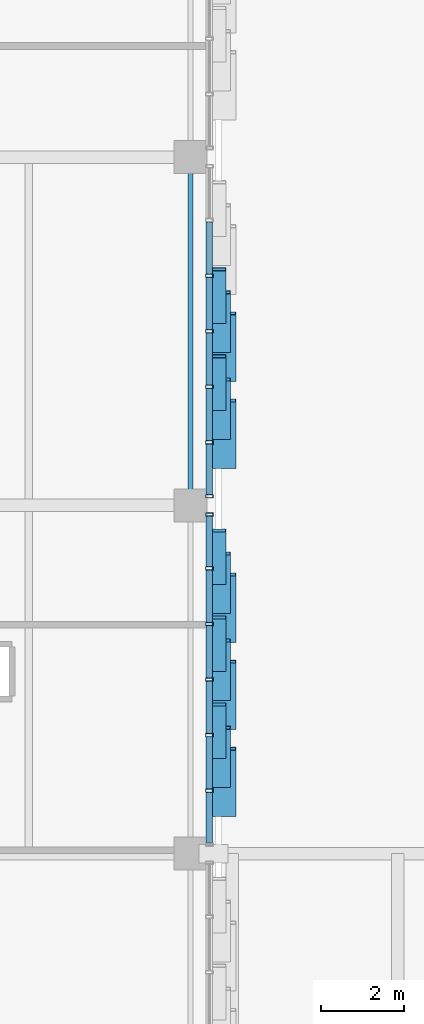
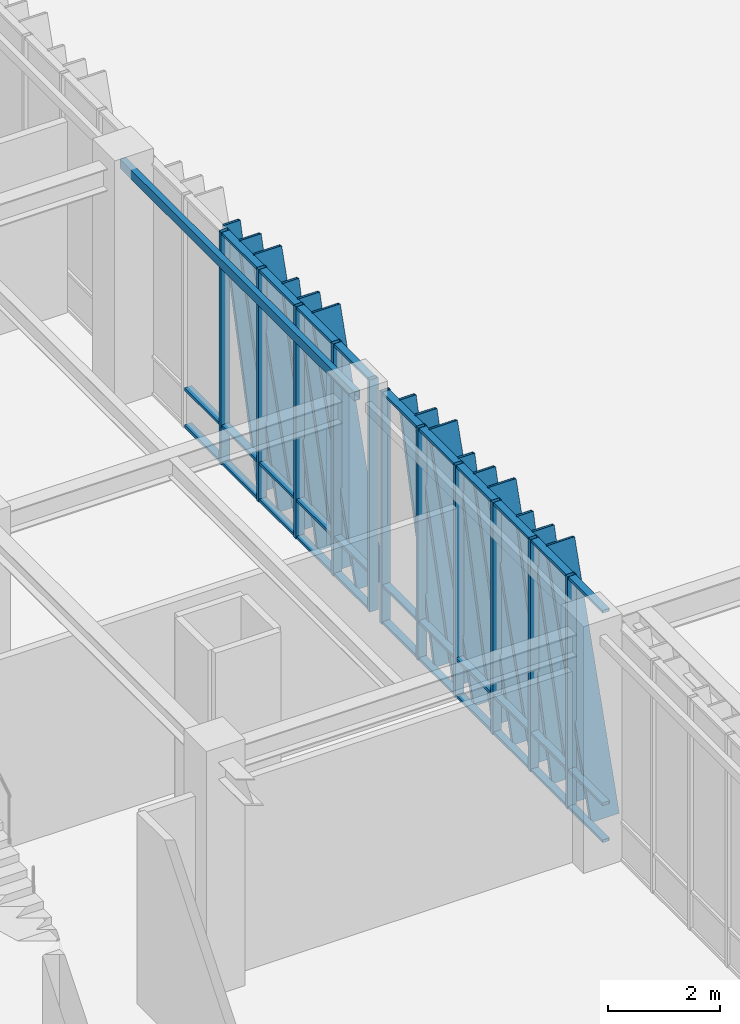
# One storey, part 55 of 122: 58 members, 1 beam, 2 elements without a shape of their own.
"""IFC4 building model written with IfcOpenShell, lengths in metres."""

from ifc_helpers import new_model, si_unit, direction, frame, origin, origin_2d, place, context, subcontext, project, spatial, hollow_rectangle, extrude, material, layer, layer_set, material_profile, profile_set, type_object, element, aggregate, save


model = new_model("IFC4")

# Units and contexts
model_context = context("Model", 3, precision=1e-05, world=origin(), true_north=direction((0.0, 1.0)))
body_context = subcontext(model_context, "Body", "Model", "MODEL_VIEW")
ifc_project = project(units=[si_unit("LENGTHUNIT", "METRE"), si_unit("AREAUNIT", "SQUARE_METRE"), si_unit("VOLUMEUNIT", "CUBIC_METRE"), si_unit("PLANEANGLEUNIT", "RADIAN"), si_unit("MASSUNIT", "GRAM", prefix="KILO")], contexts=[model_context])

# Site, building, storey
site_placement = place(None, origin())
site = spatial("IfcSite", under=ifc_project, at=site_placement, CompositionType="ELEMENT")
building_placement = place(site_placement, origin())
building = spatial("IfcBuilding", under=site, at=building_placement, Name="Zayran Congress Hotel", CompositionType="ELEMENT")
storey_placement = place(building_placement, origin())
storey = spatial("IfcBuildingStorey", under=building, at=storey_placement, Name="L00", CompositionType="ELEMENT", Elevation=0.0)

# Beam
ifc_material_1 = material(Name="Steel S355", Category="steel")
ifc_material_profile_1 = material_profile(ifc_material_1, hollow_rectangle(XDim=0.1201171875, YDim=0.199951171875, WallThickness=0.008056640625, at=origin_2d()), Name="RHS 200x120x8")
ifc_profile_set_1 = profile_set([ifc_material_profile_1], Name="Steel S355")
beam_type = type_object("IfcBeamType", Name="TP-SP-02", PredefinedType="SPANDREL", material=ifc_profile_set_1)
beam_placement = place(storey_placement, frame((91.800048828125, 92.800048828125, 4.97998046875), z_axis=(0.0, 1.0, 0.0), x_axis=(-1.0, 0.0, 0.0)))
element("IfcBeam", 1, at=beam_placement, inside=storey, type_object=beam_type, Name="BM-V1-L00-0488", PredefinedType="SPANDREL", context=body_context, shape_type="SweptSolid", body=[
    extrude(hollow_rectangle(XDim=0.1201171875, YDim=0.199951171875, WallThickness=0.008056640625, at=origin_2d()), origin(), (0.0, 0.0, 1.0), 8.39990234375),
])

# Curtain wall, members
ifc_material_2 = material(Name="Anodised aluminium and low-E insulated glass", Category="aluminium")
ifc_layer_1 = layer(ifc_material_2, 0.179931640625)
ifc_layer_set_1 = layer_set([ifc_layer_1], Name="Anodised aluminium and low-E insulated glass")
curtain_wall_type_1 = type_object("IfcCurtainWallType", Name="CW-V1E-L00-CW-41-8040-5080", PredefinedType="USERDEFINED", material=ifc_layer_set_1)
curtain_wall_1_placement = place(storey_placement, origin())
curtain_wall_1 = element("IfcCurtainWall", 2, at=curtain_wall_1_placement, inside=storey, type_object=curtain_wall_type_1, Name="CW-V1E-L00-2", ObjectType="CURTAIN WALL", PredefinedType="USERDEFINED")
ifc_material_3 = material(Name="Anodised aluminium framing", Category="aluminium")
ifc_material_profile_2 = material_profile(ifc_material_3, hollow_rectangle(XDim=0.080078125, YDim=0.179931640625, WallThickness=0.0048828125, at=origin_2d()), Name="RHS 180x80x5")
ifc_profile_set_2 = profile_set([ifc_material_profile_2], Name="Anodised aluminium framing")
member_type_1 = type_object("IfcMemberType", Name="TP-CWM-01", PredefinedType="MULLION", material=ifc_profile_set_2)
member_1_placement = place(storey_placement, frame((92.25, 85.919921875, 0.0), z_axis=(0.0, 0.0, 1.0), x_axis=(0.0, 1.0, 0.0)))
member_1 = element("IfcMember", 3, at=member_1_placement, type_object=member_type_1, Name="CW-V1E-L00-2-M01", PredefinedType="MULLION", context=body_context, shape_type="SweptSolid", body=[
    extrude(hollow_rectangle(XDim=0.080078125, YDim=0.179931640625, WallThickness=0.0048828125, at=origin_2d()), origin(), (0.0, 0.0, 1.0), 5.080078125),
])
member_2_placement = place(storey_placement, frame((92.25, 87.260009765625, 0.0), z_axis=(0.0, 0.0, 1.0), x_axis=(0.0, 1.0, 0.0)))
member_2 = element("IfcMember", 4, at=member_2_placement, type_object=member_type_1, Name="CW-V1E-L00-2-M02", PredefinedType="MULLION", context=body_context, shape_type="SweptSolid", body=[
    extrude(hollow_rectangle(XDim=0.080078125, YDim=0.179931640625, WallThickness=0.0048828125, at=origin_2d()), origin(), (0.0, 0.0, 1.0), 5.080078125),
])
member_3_placement = place(storey_placement, frame((92.25, 88.60009765625, 0.0), z_axis=(0.0, 0.0, 1.0), x_axis=(0.0, 1.0, 0.0)))
member_3 = element("IfcMember", 5, at=member_3_placement, type_object=member_type_1, Name="CW-V1E-L00-2-M03", PredefinedType="MULLION", context=body_context, shape_type="SweptSolid", body=[
    extrude(hollow_rectangle(XDim=0.080078125, YDim=0.179931640625, WallThickness=0.0048828125, at=origin_2d()), origin(), (0.0, 0.0, 1.0), 5.080078125),
])
member_4_placement = place(storey_placement, frame((92.25, 89.93994140625, 0.0), z_axis=(0.0, 0.0, 1.0), x_axis=(0.0, 1.0, 0.0)))
member_4 = element("IfcMember", 6, at=member_4_placement, type_object=member_type_1, Name="CW-V1E-L00-2-M04", PredefinedType="MULLION", context=body_context, shape_type="SweptSolid", body=[
    extrude(hollow_rectangle(XDim=0.080078125, YDim=0.179931640625, WallThickness=0.0048828125, at=origin_2d()), origin(), (0.0, 0.0, 1.0), 5.080078125),
])
member_5_placement = place(storey_placement, frame((92.25, 91.280029296875, 0.0), z_axis=(0.0, 0.0, 1.0), x_axis=(0.0, 1.0, 0.0)))
member_5 = element("IfcMember", 7, at=member_5_placement, type_object=member_type_1, Name="CW-V1E-L00-2-M05", PredefinedType="MULLION", context=body_context, shape_type="SweptSolid", body=[
    extrude(hollow_rectangle(XDim=0.080078125, YDim=0.179931640625, WallThickness=0.0048828125, at=origin_2d()), origin(), (0.0, 0.0, 1.0), 5.080078125),
])
member_6_placement = place(storey_placement, frame((92.25, 92.580078125, 0.0), z_axis=(0.0, 0.0, 1.0), x_axis=(0.0, 1.0, 0.0)))
member_6 = element("IfcMember", 8, at=member_6_placement, type_object=member_type_1, Name="CW-V1E-L00-2-M06", PredefinedType="MULLION", context=body_context, shape_type="SweptSolid", body=[
    extrude(hollow_rectangle(XDim=0.080078125, YDim=0.179931640625, WallThickness=0.0048828125, at=origin_2d()), origin(), (0.0, 0.0, 1.0), 5.080078125),
])

ifc_layer_2 = layer(ifc_material_2, 0.179931640625)
ifc_layer_set_2 = layer_set([ifc_layer_2], Name="Anodised aluminium and low-E insulated glass")
curtain_wall_type_2 = type_object("IfcCurtainWallType", Name="CW-V1E-L00-CW-42-8040-5080", PredefinedType="USERDEFINED", material=ifc_layer_set_2)
curtain_wall_2_placement = place(storey_placement, origin())
curtain_wall_2 = element("IfcCurtainWall", 9, at=curtain_wall_2_placement, inside=storey, type_object=curtain_wall_type_2, Name="CW-V1E-L00-3", ObjectType="CURTAIN WALL", PredefinedType="USERDEFINED")
member_7_placement = place(storey_placement, frame((92.25, 93.02001953125, 0.0), z_axis=(0.0, 0.0, 1.0), x_axis=(0.0, 1.0, 0.0)))
member_7 = element("IfcMember", 10, at=member_7_placement, type_object=member_type_1, Name="CW-V1E-L00-3-M00", PredefinedType="MULLION", context=body_context, shape_type="SweptSolid", body=[
    extrude(hollow_rectangle(XDim=0.080078125, YDim=0.179931640625, WallThickness=0.0048828125, at=origin_2d()), origin(), (0.0, 0.0, 1.0), 5.080078125),
])
member_8_placement = place(storey_placement, frame((92.25, 94.320068359375, 0.0), z_axis=(0.0, 0.0, 1.0), x_axis=(0.0, 1.0, 0.0)))
member_8 = element("IfcMember", 11, at=member_8_placement, type_object=member_type_1, Name="CW-V1E-L00-3-M01", PredefinedType="MULLION", context=body_context, shape_type="SweptSolid", body=[
    extrude(hollow_rectangle(XDim=0.080078125, YDim=0.179931640625, WallThickness=0.0048828125, at=origin_2d()), origin(), (0.0, 0.0, 1.0), 5.080078125),
])
member_9_placement = place(storey_placement, frame((92.25, 95.659912109375, 0.0), z_axis=(0.0, 0.0, 1.0), x_axis=(0.0, 1.0, 0.0)))
member_9 = element("IfcMember", 12, at=member_9_placement, type_object=member_type_1, Name="CW-V1E-L00-3-M02", PredefinedType="MULLION", context=body_context, shape_type="SweptSolid", body=[
    extrude(hollow_rectangle(XDim=0.080078125, YDim=0.179931640625, WallThickness=0.0048828125, at=origin_2d()), origin(), (0.0, 0.0, 1.0), 5.080078125),
])
member_10_placement = place(storey_placement, frame((92.25, 97.0, 0.0), z_axis=(0.0, 0.0, 1.0), x_axis=(0.0, 1.0, 0.0)))
member_10 = element("IfcMember", 13, at=member_10_placement, type_object=member_type_1, Name="CW-V1E-L00-3-M03", PredefinedType="MULLION", context=body_context, shape_type="SweptSolid", body=[
    extrude(hollow_rectangle(XDim=0.080078125, YDim=0.179931640625, WallThickness=0.0048828125, at=origin_2d()), origin(), (0.0, 0.0, 1.0), 5.080078125),
])
member_11_placement = place(storey_placement, frame((92.25, 98.340087890625, 0.0), z_axis=(0.0, 0.0, 1.0), x_axis=(0.0, 1.0, 0.0)))
member_11 = element("IfcMember", 14, at=member_11_placement, type_object=member_type_1, Name="CW-V1E-L00-3-M04", PredefinedType="MULLION", context=body_context, shape_type="SweptSolid", body=[
    extrude(hollow_rectangle(XDim=0.080078125, YDim=0.179931640625, WallThickness=0.0048828125, at=origin_2d()), origin(), (0.0, 0.0, 1.0), 5.080078125),
])

# Member
ifc_material_profile_3 = material_profile(ifc_material_3, hollow_rectangle(XDim=0.06005859375, YDim=0.14990234375, WallThickness=0.00390625, at=origin_2d()), Name="RHS 150x60x4")
ifc_profile_set_3 = profile_set([ifc_material_profile_3], Name="Anodised aluminium framing")
member_type_2 = type_object("IfcMemberType", Name="TP-CWT-01", PredefinedType="USERDEFINED", material=ifc_profile_set_3)
member_12_placement = place(storey_placement, frame((92.25, 84.659912109375, 0.030029296875), z_axis=(0.0, 1.0, 0.0), x_axis=(0.0, 0.0, 1.0)))
member_12 = element("IfcMember", 15, at=member_12_placement, type_object=member_type_2, Name="CW-V1E-L00-2-T00-0", ObjectType="TRANSOM", PredefinedType="USERDEFINED", context=body_context, shape_type="SweptSolid", body=[
    extrude(hollow_rectangle(XDim=0.06005859375, YDim=0.14990234375, WallThickness=0.00390625, at=origin_2d()), origin(), (0.0, 0.0, 1.0), 1.219970703125),
])

member_13_placement = place(storey_placement, frame((92.25, 84.659912109375, 0.840087890625), z_axis=(0.0, 1.0, 0.0), x_axis=(0.0, 0.0, 1.0)))
member_13 = element("IfcMember", 16, at=member_13_placement, type_object=member_type_2, Name="CW-V1E-L00-2-T00-1", ObjectType="TRANSOM", PredefinedType="USERDEFINED", context=body_context, shape_type="SweptSolid", body=[
    extrude(hollow_rectangle(XDim=0.06005859375, YDim=0.14990234375, WallThickness=0.00390625, at=origin_2d()), origin(), (0.0, 0.0, 1.0), 1.219970703125),
])

member_14_placement = place(storey_placement, frame((92.25, 84.659912109375, 5.050048828125), z_axis=(0.0, 1.0, 0.0), x_axis=(0.0, 0.0, 1.0)))
member_14 = element("IfcMember", 17, at=member_14_placement, type_object=member_type_2, Name="CW-V1E-L00-2-T00-2", ObjectType="TRANSOM", PredefinedType="USERDEFINED", context=body_context, shape_type="SweptSolid", body=[
    extrude(hollow_rectangle(XDim=0.06005859375, YDim=0.14990234375, WallThickness=0.00390625, at=origin_2d()), origin(), (0.0, 0.0, 1.0), 1.219970703125),
])

member_15_placement = place(storey_placement, frame((92.25, 85.9599609375, 0.030029296875), z_axis=(0.0, 1.0, 0.0), x_axis=(0.0, 0.0, 1.0)))
member_15 = element("IfcMember", 18, at=member_15_placement, type_object=member_type_2, Name="CW-V1E-L00-2-T01-0", ObjectType="TRANSOM", PredefinedType="USERDEFINED", context=body_context, shape_type="SweptSolid", body=[
    extrude(hollow_rectangle(XDim=0.06005859375, YDim=0.14990234375, WallThickness=0.00390625, at=origin_2d()), origin(), (0.0, 0.0, 1.0), 1.260009765625),
])

member_16_placement = place(storey_placement, frame((92.25, 85.9599609375, 0.840087890625), z_axis=(0.0, 1.0, 0.0), x_axis=(0.0, 0.0, 1.0)))
member_16 = element("IfcMember", 19, at=member_16_placement, type_object=member_type_2, Name="CW-V1E-L00-2-T01-1", ObjectType="TRANSOM", PredefinedType="USERDEFINED", context=body_context, shape_type="SweptSolid", body=[
    extrude(hollow_rectangle(XDim=0.06005859375, YDim=0.14990234375, WallThickness=0.00390625, at=origin_2d()), origin(), (0.0, 0.0, 1.0), 1.260009765625),
])

member_17_placement = place(storey_placement, frame((92.25, 85.9599609375, 5.050048828125), z_axis=(0.0, 1.0, 0.0), x_axis=(0.0, 0.0, 1.0)))
member_17 = element("IfcMember", 20, at=member_17_placement, type_object=member_type_2, Name="CW-V1E-L00-2-T01-2", ObjectType="TRANSOM", PredefinedType="USERDEFINED", context=body_context, shape_type="SweptSolid", body=[
    extrude(hollow_rectangle(XDim=0.06005859375, YDim=0.14990234375, WallThickness=0.00390625, at=origin_2d()), origin(), (0.0, 0.0, 1.0), 1.260009765625),
])

member_18_placement = place(storey_placement, frame((92.25, 87.300048828125, 0.030029296875), z_axis=(0.0, 1.0, 0.0), x_axis=(0.0, 0.0, 1.0)))
member_18 = element("IfcMember", 21, at=member_18_placement, type_object=member_type_2, Name="CW-V1E-L00-2-T02-0", ObjectType="TRANSOM", PredefinedType="USERDEFINED", context=body_context, shape_type="SweptSolid", body=[
    extrude(hollow_rectangle(XDim=0.06005859375, YDim=0.14990234375, WallThickness=0.00390625, at=origin_2d()), origin(), (0.0, 0.0, 1.0), 1.260009765625),
])

member_19_placement = place(storey_placement, frame((92.25, 87.300048828125, 0.840087890625), z_axis=(0.0, 1.0, 0.0), x_axis=(0.0, 0.0, 1.0)))
member_19 = element("IfcMember", 22, at=member_19_placement, type_object=member_type_2, Name="CW-V1E-L00-2-T02-1", ObjectType="TRANSOM", PredefinedType="USERDEFINED", context=body_context, shape_type="SweptSolid", body=[
    extrude(hollow_rectangle(XDim=0.06005859375, YDim=0.14990234375, WallThickness=0.00390625, at=origin_2d()), origin(), (0.0, 0.0, 1.0), 1.260009765625),
])

member_20_placement = place(storey_placement, frame((92.25, 87.300048828125, 5.050048828125), z_axis=(0.0, 1.0, 0.0), x_axis=(0.0, 0.0, 1.0)))
member_20 = element("IfcMember", 23, at=member_20_placement, type_object=member_type_2, Name="CW-V1E-L00-2-T02-2", ObjectType="TRANSOM", PredefinedType="USERDEFINED", context=body_context, shape_type="SweptSolid", body=[
    extrude(hollow_rectangle(XDim=0.06005859375, YDim=0.14990234375, WallThickness=0.00390625, at=origin_2d()), origin(), (0.0, 0.0, 1.0), 1.260009765625),
])

member_21_placement = place(storey_placement, frame((92.25, 88.639892578125, 0.030029296875), z_axis=(0.0, 1.0, 0.0), x_axis=(0.0, 0.0, 1.0)))
member_21 = element("IfcMember", 24, at=member_21_placement, type_object=member_type_2, Name="CW-V1E-L00-2-T03-0", ObjectType="TRANSOM", PredefinedType="USERDEFINED", context=body_context, shape_type="SweptSolid", body=[
    extrude(hollow_rectangle(XDim=0.06005859375, YDim=0.14990234375, WallThickness=0.00390625, at=origin_2d()), origin(), (0.0, 0.0, 1.0), 1.260009765625),
])

member_22_placement = place(storey_placement, frame((92.25, 88.639892578125, 0.840087890625), z_axis=(0.0, 1.0, 0.0), x_axis=(0.0, 0.0, 1.0)))
member_22 = element("IfcMember", 25, at=member_22_placement, type_object=member_type_2, Name="CW-V1E-L00-2-T03-1", ObjectType="TRANSOM", PredefinedType="USERDEFINED", context=body_context, shape_type="SweptSolid", body=[
    extrude(hollow_rectangle(XDim=0.06005859375, YDim=0.14990234375, WallThickness=0.00390625, at=origin_2d()), origin(), (0.0, 0.0, 1.0), 1.260009765625),
])

member_23_placement = place(storey_placement, frame((92.25, 88.639892578125, 5.050048828125), z_axis=(0.0, 1.0, 0.0), x_axis=(0.0, 0.0, 1.0)))
member_23 = element("IfcMember", 26, at=member_23_placement, type_object=member_type_2, Name="CW-V1E-L00-2-T03-2", ObjectType="TRANSOM", PredefinedType="USERDEFINED", context=body_context, shape_type="SweptSolid", body=[
    extrude(hollow_rectangle(XDim=0.06005859375, YDim=0.14990234375, WallThickness=0.00390625, at=origin_2d()), origin(), (0.0, 0.0, 1.0), 1.260009765625),
])

member_24_placement = place(storey_placement, frame((92.25, 89.97998046875, 0.030029296875), z_axis=(0.0, 1.0, 0.0), x_axis=(0.0, 0.0, 1.0)))
member_24 = element("IfcMember", 27, at=member_24_placement, type_object=member_type_2, Name="CW-V1E-L00-2-T04-0", ObjectType="TRANSOM", PredefinedType="USERDEFINED", context=body_context, shape_type="SweptSolid", body=[
    extrude(hollow_rectangle(XDim=0.06005859375, YDim=0.14990234375, WallThickness=0.00390625, at=origin_2d()), origin(), (0.0, 0.0, 1.0), 1.260009765625),
])

member_25_placement = place(storey_placement, frame((92.25, 89.97998046875, 0.840087890625), z_axis=(0.0, 1.0, 0.0), x_axis=(0.0, 0.0, 1.0)))
member_25 = element("IfcMember", 28, at=member_25_placement, type_object=member_type_2, Name="CW-V1E-L00-2-T04-1", ObjectType="TRANSOM", PredefinedType="USERDEFINED", context=body_context, shape_type="SweptSolid", body=[
    extrude(hollow_rectangle(XDim=0.06005859375, YDim=0.14990234375, WallThickness=0.00390625, at=origin_2d()), origin(), (0.0, 0.0, 1.0), 1.260009765625),
])

member_26_placement = place(storey_placement, frame((92.25, 89.97998046875, 5.050048828125), z_axis=(0.0, 1.0, 0.0), x_axis=(0.0, 0.0, 1.0)))
member_26 = element("IfcMember", 29, at=member_26_placement, type_object=member_type_2, Name="CW-V1E-L00-2-T04-2", ObjectType="TRANSOM", PredefinedType="USERDEFINED", context=body_context, shape_type="SweptSolid", body=[
    extrude(hollow_rectangle(XDim=0.06005859375, YDim=0.14990234375, WallThickness=0.00390625, at=origin_2d()), origin(), (0.0, 0.0, 1.0), 1.260009765625),
])

member_27_placement = place(storey_placement, frame((92.25, 91.320068359375, 0.030029296875), z_axis=(0.0, 1.0, 0.0), x_axis=(0.0, 0.0, 1.0)))
member_27 = element("IfcMember", 30, at=member_27_placement, type_object=member_type_2, Name="CW-V1E-L00-2-T05-0", ObjectType="TRANSOM", PredefinedType="USERDEFINED", context=body_context, shape_type="SweptSolid", body=[
    extrude(hollow_rectangle(XDim=0.06005859375, YDim=0.14990234375, WallThickness=0.00390625, at=origin_2d()), origin(), (0.0, 0.0, 1.0), 1.219970703125),
])

member_28_placement = place(storey_placement, frame((92.25, 91.320068359375, 0.840087890625), z_axis=(0.0, 1.0, 0.0), x_axis=(0.0, 0.0, 1.0)))
member_28 = element("IfcMember", 31, at=member_28_placement, type_object=member_type_2, Name="CW-V1E-L00-2-T05-1", ObjectType="TRANSOM", PredefinedType="USERDEFINED", context=body_context, shape_type="SweptSolid", body=[
    extrude(hollow_rectangle(XDim=0.06005859375, YDim=0.14990234375, WallThickness=0.00390625, at=origin_2d()), origin(), (0.0, 0.0, 1.0), 1.219970703125),
])

member_29_placement = place(storey_placement, frame((92.25, 91.320068359375, 5.050048828125), z_axis=(0.0, 1.0, 0.0), x_axis=(0.0, 0.0, 1.0)))
member_29 = element("IfcMember", 32, at=member_29_placement, type_object=member_type_2, Name="CW-V1E-L00-2-T05-2", ObjectType="TRANSOM", PredefinedType="USERDEFINED", context=body_context, shape_type="SweptSolid", body=[
    extrude(hollow_rectangle(XDim=0.06005859375, YDim=0.14990234375, WallThickness=0.00390625, at=origin_2d()), origin(), (0.0, 0.0, 1.0), 1.219970703125),
])

member_30_placement = place(storey_placement, frame((92.25, 93.06005859375, 0.030029296875), z_axis=(0.0, 1.0, 0.0), x_axis=(0.0, 0.0, 1.0)))
member_30 = element("IfcMember", 33, at=member_30_placement, type_object=member_type_2, Name="CW-V1E-L00-3-T00-0", ObjectType="TRANSOM", PredefinedType="USERDEFINED", context=body_context, shape_type="SweptSolid", body=[
    extrude(hollow_rectangle(XDim=0.06005859375, YDim=0.14990234375, WallThickness=0.00390625, at=origin_2d()), origin(), (0.0, 0.0, 1.0), 1.219970703125),
])

member_31_placement = place(storey_placement, frame((92.25, 93.06005859375, 0.840087890625), z_axis=(0.0, 1.0, 0.0), x_axis=(0.0, 0.0, 1.0)))
member_31 = element("IfcMember", 34, at=member_31_placement, type_object=member_type_2, Name="CW-V1E-L00-3-T00-1", ObjectType="TRANSOM", PredefinedType="USERDEFINED", context=body_context, shape_type="SweptSolid", body=[
    extrude(hollow_rectangle(XDim=0.06005859375, YDim=0.14990234375, WallThickness=0.00390625, at=origin_2d()), origin(), (0.0, 0.0, 1.0), 1.219970703125),
])

member_32_placement = place(storey_placement, frame((92.25, 93.06005859375, 5.050048828125), z_axis=(0.0, 1.0, 0.0), x_axis=(0.0, 0.0, 1.0)))
member_32 = element("IfcMember", 35, at=member_32_placement, type_object=member_type_2, Name="CW-V1E-L00-3-T00-2", ObjectType="TRANSOM", PredefinedType="USERDEFINED", context=body_context, shape_type="SweptSolid", body=[
    extrude(hollow_rectangle(XDim=0.06005859375, YDim=0.14990234375, WallThickness=0.00390625, at=origin_2d()), origin(), (0.0, 0.0, 1.0), 1.219970703125),
])

member_33_placement = place(storey_placement, frame((92.25, 94.360107421875, 0.030029296875), z_axis=(0.0, 1.0, 0.0), x_axis=(0.0, 0.0, 1.0)))
member_33 = element("IfcMember", 36, at=member_33_placement, type_object=member_type_2, Name="CW-V1E-L00-3-T01-0", ObjectType="TRANSOM", PredefinedType="USERDEFINED", context=body_context, shape_type="SweptSolid", body=[
    extrude(hollow_rectangle(XDim=0.06005859375, YDim=0.14990234375, WallThickness=0.00390625, at=origin_2d()), origin(), (0.0, 0.0, 1.0), 1.260009765625),
])

member_34_placement = place(storey_placement, frame((92.25, 94.360107421875, 0.840087890625), z_axis=(0.0, 1.0, 0.0), x_axis=(0.0, 0.0, 1.0)))
member_34 = element("IfcMember", 37, at=member_34_placement, type_object=member_type_2, Name="CW-V1E-L00-3-T01-1", ObjectType="TRANSOM", PredefinedType="USERDEFINED", context=body_context, shape_type="SweptSolid", body=[
    extrude(hollow_rectangle(XDim=0.06005859375, YDim=0.14990234375, WallThickness=0.00390625, at=origin_2d()), origin(), (0.0, 0.0, 1.0), 1.260009765625),
])

member_35_placement = place(storey_placement, frame((92.25, 94.360107421875, 5.050048828125), z_axis=(0.0, 1.0, 0.0), x_axis=(0.0, 0.0, 1.0)))
member_35 = element("IfcMember", 38, at=member_35_placement, type_object=member_type_2, Name="CW-V1E-L00-3-T01-2", ObjectType="TRANSOM", PredefinedType="USERDEFINED", context=body_context, shape_type="SweptSolid", body=[
    extrude(hollow_rectangle(XDim=0.06005859375, YDim=0.14990234375, WallThickness=0.00390625, at=origin_2d()), origin(), (0.0, 0.0, 1.0), 1.260009765625),
])

member_36_placement = place(storey_placement, frame((92.25, 95.699951171875, 0.030029296875), z_axis=(0.0, 1.0, 0.0), x_axis=(0.0, 0.0, 1.0)))
member_36 = element("IfcMember", 39, at=member_36_placement, type_object=member_type_2, Name="CW-V1E-L00-3-T02-0", ObjectType="TRANSOM", PredefinedType="USERDEFINED", context=body_context, shape_type="SweptSolid", body=[
    extrude(hollow_rectangle(XDim=0.06005859375, YDim=0.14990234375, WallThickness=0.00390625, at=origin_2d()), origin(), (0.0, 0.0, 1.0), 1.260009765625),
])

member_37_placement = place(storey_placement, frame((92.25, 95.699951171875, 0.840087890625), z_axis=(0.0, 1.0, 0.0), x_axis=(0.0, 0.0, 1.0)))
member_37 = element("IfcMember", 40, at=member_37_placement, type_object=member_type_2, Name="CW-V1E-L00-3-T02-1", ObjectType="TRANSOM", PredefinedType="USERDEFINED", context=body_context, shape_type="SweptSolid", body=[
    extrude(hollow_rectangle(XDim=0.06005859375, YDim=0.14990234375, WallThickness=0.00390625, at=origin_2d()), origin(), (0.0, 0.0, 1.0), 1.260009765625),
])

member_38_placement = place(storey_placement, frame((92.25, 95.699951171875, 5.050048828125), z_axis=(0.0, 1.0, 0.0), x_axis=(0.0, 0.0, 1.0)))
member_38 = element("IfcMember", 41, at=member_38_placement, type_object=member_type_2, Name="CW-V1E-L00-3-T02-2", ObjectType="TRANSOM", PredefinedType="USERDEFINED", context=body_context, shape_type="SweptSolid", body=[
    extrude(hollow_rectangle(XDim=0.06005859375, YDim=0.14990234375, WallThickness=0.00390625, at=origin_2d()), origin(), (0.0, 0.0, 1.0), 1.260009765625),
])

member_39_placement = place(storey_placement, frame((92.25, 97.0400390625, 0.030029296875), z_axis=(0.0, 1.0, 0.0), x_axis=(0.0, 0.0, 1.0)))
member_39 = element("IfcMember", 42, at=member_39_placement, type_object=member_type_2, Name="CW-V1E-L00-3-T03-0", ObjectType="TRANSOM", PredefinedType="USERDEFINED", context=body_context, shape_type="SweptSolid", body=[
    extrude(hollow_rectangle(XDim=0.06005859375, YDim=0.14990234375, WallThickness=0.00390625, at=origin_2d()), origin(), (0.0, 0.0, 1.0), 1.260009765625),
])

member_40_placement = place(storey_placement, frame((92.25, 97.0400390625, 0.840087890625), z_axis=(0.0, 1.0, 0.0), x_axis=(0.0, 0.0, 1.0)))
member_40 = element("IfcMember", 43, at=member_40_placement, type_object=member_type_2, Name="CW-V1E-L00-3-T03-1", ObjectType="TRANSOM", PredefinedType="USERDEFINED", context=body_context, shape_type="SweptSolid", body=[
    extrude(hollow_rectangle(XDim=0.06005859375, YDim=0.14990234375, WallThickness=0.00390625, at=origin_2d()), origin(), (0.0, 0.0, 1.0), 1.260009765625),
])

member_41_placement = place(storey_placement, frame((92.25, 97.0400390625, 5.050048828125), z_axis=(0.0, 1.0, 0.0), x_axis=(0.0, 0.0, 1.0)))
member_41 = element("IfcMember", 44, at=member_41_placement, type_object=member_type_2, Name="CW-V1E-L00-3-T03-2", ObjectType="TRANSOM", PredefinedType="USERDEFINED", context=body_context, shape_type="SweptSolid", body=[
    extrude(hollow_rectangle(XDim=0.06005859375, YDim=0.14990234375, WallThickness=0.00390625, at=origin_2d()), origin(), (0.0, 0.0, 1.0), 1.260009765625),
])

member_42_placement = place(storey_placement, frame((92.25, 98.3798828125, 0.030029296875), z_axis=(0.0, 1.0, 0.0), x_axis=(0.0, 0.0, 1.0)))
member_42 = element("IfcMember", 45, at=member_42_placement, type_object=member_type_2, Name="CW-V1E-L00-3-T04-0", ObjectType="TRANSOM", PredefinedType="USERDEFINED", context=body_context, shape_type="SweptSolid", body=[
    extrude(hollow_rectangle(XDim=0.06005859375, YDim=0.14990234375, WallThickness=0.00390625, at=origin_2d()), origin(), (0.0, 0.0, 1.0), 1.260009765625),
])

member_43_placement = place(storey_placement, frame((92.25, 98.3798828125, 0.840087890625), z_axis=(0.0, 1.0, 0.0), x_axis=(0.0, 0.0, 1.0)))
member_43 = element("IfcMember", 46, at=member_43_placement, type_object=member_type_2, Name="CW-V1E-L00-3-T04-1", ObjectType="TRANSOM", PredefinedType="USERDEFINED", context=body_context, shape_type="SweptSolid", body=[
    extrude(hollow_rectangle(XDim=0.06005859375, YDim=0.14990234375, WallThickness=0.00390625, at=origin_2d()), origin(), (0.0, 0.0, 1.0), 1.260009765625),
])

ifc_material_4 = material(Name="Warm bronze anodised aluminium", Category="aluminium")
ifc_material_profile_4 = material_profile(ifc_material_4, hollow_rectangle(XDim=0.080078125, YDim=0.580078125, WallThickness=0.006103515625, at=origin_2d()), Name="RHS 580x80x6")
ifc_profile_set_4 = profile_set([ifc_material_profile_4], Name="Warm bronze anodised aluminium")
member_type_3 = type_object("IfcMemberType", Name="TP-RFN-01", PredefinedType="MULLION", material=ifc_profile_set_4)
member_44_placement = place(storey_placement, frame((92.60009765625, 85.330078125, 0.0), z_axis=(0.0, 0.300675065474, 0.953726640606), x_axis=(0.0, -0.953726640606, 0.300675065474)))
member_44 = element("IfcMember", 47, at=member_44_placement, type_object=member_type_3, Name="Slanting Reed Mullion CW-41-01", PredefinedType="MULLION", context=body_context, shape_type="SweptSolid", body=[
    extrude(hollow_rectangle(XDim=0.080078125, YDim=0.580078125, WallThickness=0.006103515625, at=origin_2d()), origin(), (0.0, 0.0, 1.0), 5.32666015625),
])

member_45_placement = place(storey_placement, frame((92.60009765625, 87.429931640625, 0.0), z_axis=(0.0, 0.300716755525, 0.953713496259), x_axis=(0.0, -0.953713496259, 0.300716755525)))
member_45 = element("IfcMember", 48, at=member_45_placement, type_object=member_type_3, Name="Slanting Reed Mullion CW-41-04", PredefinedType="MULLION", context=body_context, shape_type="SweptSolid", body=[
    extrude(hollow_rectangle(XDim=0.080078125, YDim=0.580078125, WallThickness=0.006103515625, at=origin_2d()), origin(), (0.0, 0.0, 1.0), 5.32666015625),
])

member_46_placement = place(storey_placement, frame((92.60009765625, 89.530029296875, 0.0), z_axis=(0.0, 0.300675065474, 0.953726640606), x_axis=(0.0, -0.953726640606, 0.300675065474)))
member_46 = element("IfcMember", 49, at=member_46_placement, type_object=member_type_3, Name="Slanting Reed Mullion CW-41-07", PredefinedType="MULLION", context=body_context, shape_type="SweptSolid", body=[
    extrude(hollow_rectangle(XDim=0.080078125, YDim=0.580078125, WallThickness=0.006103515625, at=origin_2d()), origin(), (0.0, 0.0, 1.0), 5.32666015625),
])

member_47_placement = place(storey_placement, frame((92.60009765625, 93.72998046875, 0.0), z_axis=(0.0, 0.300716755525, 0.953713496259), x_axis=(0.0, -0.953713496259, 0.300716755525)))
member_47 = element("IfcMember", 50, at=member_47_placement, type_object=member_type_3, Name="Slanting Reed Mullion CW-42-01", PredefinedType="MULLION", context=body_context, shape_type="SweptSolid", body=[
    extrude(hollow_rectangle(XDim=0.080078125, YDim=0.580078125, WallThickness=0.006103515625, at=origin_2d()), origin(), (0.0, 0.0, 1.0), 5.32666015625),
])

member_48_placement = place(storey_placement, frame((92.60009765625, 95.830078125, 0.0), z_axis=(0.0, 0.300675065474, 0.953726640606), x_axis=(0.0, -0.953726640606, 0.300675065474)))
member_48 = element("IfcMember", 51, at=member_48_placement, type_object=member_type_3, Name="Slanting Reed Mullion CW-42-04", PredefinedType="MULLION", context=body_context, shape_type="SweptSolid", body=[
    extrude(hollow_rectangle(XDim=0.080078125, YDim=0.580078125, WallThickness=0.006103515625, at=origin_2d()), origin(), (0.0, 0.0, 1.0), 5.32666015625),
])

ifc_material_profile_5 = material_profile(ifc_material_4, hollow_rectangle(XDim=0.080078125, YDim=0.449951171875, WallThickness=0.006103515625, at=origin_2d()), Name="RHS 450x80x6")
ifc_profile_set_5 = profile_set([ifc_material_profile_5], Name="Warm bronze anodised aluminium")
member_type_4 = type_object("IfcMemberType", Name="TP-RFN-02", PredefinedType="MULLION", material=ifc_profile_set_5)
member_49_placement = place(storey_placement, frame((92.534912109375, 86.030029296875, 0.0), z_axis=(0.0, 0.267213902124, 0.963637240102), x_axis=(0.0, -0.963637240102, 0.267213902124)))
member_49 = element("IfcMember", 52, at=member_49_placement, type_object=member_type_4, Name="Slanting Reed Mullion CW-41-02", PredefinedType="MULLION", context=body_context, shape_type="SweptSolid", body=[
    extrude(hollow_rectangle(XDim=0.080078125, YDim=0.449951171875, WallThickness=0.006103515625, at=origin_2d()), origin(), (0.0, 0.0, 1.0), 5.271728515625),
])

member_50_placement = place(storey_placement, frame((92.534912109375, 88.1298828125, 0.0), z_axis=(0.0, 0.267256905477, 0.96362531436), x_axis=(0.0, -0.96362531436, 0.267256905477)))
member_50 = element("IfcMember", 53, at=member_50_placement, type_object=member_type_4, Name="Slanting Reed Mullion CW-41-05", PredefinedType="MULLION", context=body_context, shape_type="SweptSolid", body=[
    extrude(hollow_rectangle(XDim=0.080078125, YDim=0.449951171875, WallThickness=0.006103515625, at=origin_2d()), origin(), (0.0, 0.0, 1.0), 5.271728515625),
])

member_51_placement = place(storey_placement, frame((92.534912109375, 90.22998046875, 0.0), z_axis=(0.0, 0.267256905477, 0.96362531436), x_axis=(0.0, -0.96362531436, 0.267256905477)))
member_51 = element("IfcMember", 54, at=member_51_placement, type_object=member_type_4, Name="Slanting Reed Mullion CW-41-08", PredefinedType="MULLION", context=body_context, shape_type="SweptSolid", body=[
    extrude(hollow_rectangle(XDim=0.080078125, YDim=0.449951171875, WallThickness=0.006103515625, at=origin_2d()), origin(), (0.0, 0.0, 1.0), 5.271728515625),
])

member_52_placement = place(storey_placement, frame((92.534912109375, 94.429931640625, 0.0), z_axis=(0.0, 0.267256905477, 0.96362531436), x_axis=(0.0, -0.96362531436, 0.267256905477)))
member_52 = element("IfcMember", 55, at=member_52_placement, type_object=member_type_4, Name="Slanting Reed Mullion CW-42-02", PredefinedType="MULLION", context=body_context, shape_type="SweptSolid", body=[
    extrude(hollow_rectangle(XDim=0.080078125, YDim=0.449951171875, WallThickness=0.006103515625, at=origin_2d()), origin(), (0.0, 0.0, 1.0), 5.271728515625),
])

member_53_placement = place(storey_placement, frame((92.534912109375, 96.530029296875, 0.0), z_axis=(0.0, 0.267213902124, 0.963637240102), x_axis=(0.0, -0.963637240102, 0.267213902124)))
member_53 = element("IfcMember", 56, at=member_53_placement, type_object=member_type_4, Name="Slanting Reed Mullion CW-42-05", PredefinedType="MULLION", context=body_context, shape_type="SweptSolid", body=[
    extrude(hollow_rectangle(XDim=0.080078125, YDim=0.449951171875, WallThickness=0.006103515625, at=origin_2d()), origin(), (0.0, 0.0, 1.0), 5.271728515625),
])

ifc_material_profile_6 = material_profile(ifc_material_4, hollow_rectangle(XDim=0.080078125, YDim=0.340087890625, WallThickness=0.006103515625, at=origin_2d()), Name="RHS 340x80x6")
ifc_profile_set_6 = profile_set([ifc_material_profile_6], Name="Warm bronze anodised aluminium")
member_type_5 = type_object("IfcMemberType", Name="TP-RFN-03", PredefinedType="MULLION", material=ifc_profile_set_6)
member_54_placement = place(storey_placement, frame((92.47998046875, 86.72998046875, 0.0), z_axis=(0.0, 0.241921145618, 0.970295913267), x_axis=(0.0, -0.970295913267, 0.241921145618)))
member_54 = element("IfcMember", 57, at=member_54_placement, type_object=member_type_5, Name="Slanting Reed Mullion CW-41-03", PredefinedType="MULLION", context=body_context, shape_type="SweptSolid", body=[
    extrude(hollow_rectangle(XDim=0.080078125, YDim=0.340087890625, WallThickness=0.006103515625, at=origin_2d()), origin(), (0.0, 0.0, 1.0), 5.235595703125),
])

member_55_placement = place(storey_placement, frame((92.47998046875, 88.830078125, 0.0), z_axis=(0.0, 0.241921145618, 0.970295913267), x_axis=(0.0, -0.970295913267, 0.241921145618)))
member_55 = element("IfcMember", 58, at=member_55_placement, type_object=member_type_5, Name="Slanting Reed Mullion CW-41-06", PredefinedType="MULLION", context=body_context, shape_type="SweptSolid", body=[
    extrude(hollow_rectangle(XDim=0.080078125, YDim=0.340087890625, WallThickness=0.006103515625, at=origin_2d()), origin(), (0.0, 0.0, 1.0), 5.235595703125),
])

member_56_placement = place(storey_placement, frame((92.47998046875, 90.929931640625, 0.0), z_axis=(0.0, 0.241921145618, 0.970295913267), x_axis=(0.0, -0.970295913267, 0.241921145618)))
member_56 = element("IfcMember", 59, at=member_56_placement, type_object=member_type_5, Name="Slanting Reed Mullion CW-41-09", PredefinedType="MULLION", context=body_context, shape_type="SweptSolid", body=[
    extrude(hollow_rectangle(XDim=0.080078125, YDim=0.340087890625, WallThickness=0.006103515625, at=origin_2d()), origin(), (0.0, 0.0, 1.0), 5.235595703125),
])

aggregate(curtain_wall_1, [member_1, member_2, member_3, member_4, member_5, member_6, member_12, member_13, member_14, member_15, member_16, member_17, member_18, member_19, member_20, member_21, member_22, member_23, member_24, member_25, member_26, member_27, member_28, member_29, member_44, member_49, member_54, member_45, member_50, member_55, member_46, member_51, member_56])

member_57_placement = place(storey_placement, frame((92.47998046875, 95.1298828125, 0.0), z_axis=(0.0, 0.241921145618, 0.970295913267), x_axis=(0.0, -0.970295913267, 0.241921145618)))
member_57 = element("IfcMember", 60, at=member_57_placement, type_object=member_type_5, Name="Slanting Reed Mullion CW-42-03", PredefinedType="MULLION", context=body_context, shape_type="SweptSolid", body=[
    extrude(hollow_rectangle(XDim=0.080078125, YDim=0.340087890625, WallThickness=0.006103515625, at=origin_2d()), origin(), (0.0, 0.0, 1.0), 5.235595703125),
])

member_58_placement = place(storey_placement, frame((92.47998046875, 97.22998046875, 0.0), z_axis=(0.0, 0.241921145618, 0.970295913267), x_axis=(0.0, -0.970295913267, 0.241921145618)))
member_58 = element("IfcMember", 61, at=member_58_placement, type_object=member_type_5, Name="Slanting Reed Mullion CW-42-06", PredefinedType="MULLION", context=body_context, shape_type="SweptSolid", body=[
    extrude(hollow_rectangle(XDim=0.080078125, YDim=0.340087890625, WallThickness=0.006103515625, at=origin_2d()), origin(), (0.0, 0.0, 1.0), 5.235595703125),
])

aggregate(curtain_wall_2, [member_7, member_8, member_9, member_10, member_11, member_30, member_31, member_32, member_33, member_34, member_35, member_36, member_37, member_38, member_39, member_40, member_41, member_42, member_43, member_47, member_52, member_57, member_48, member_53, member_58])

save(model, "model.ifc")
